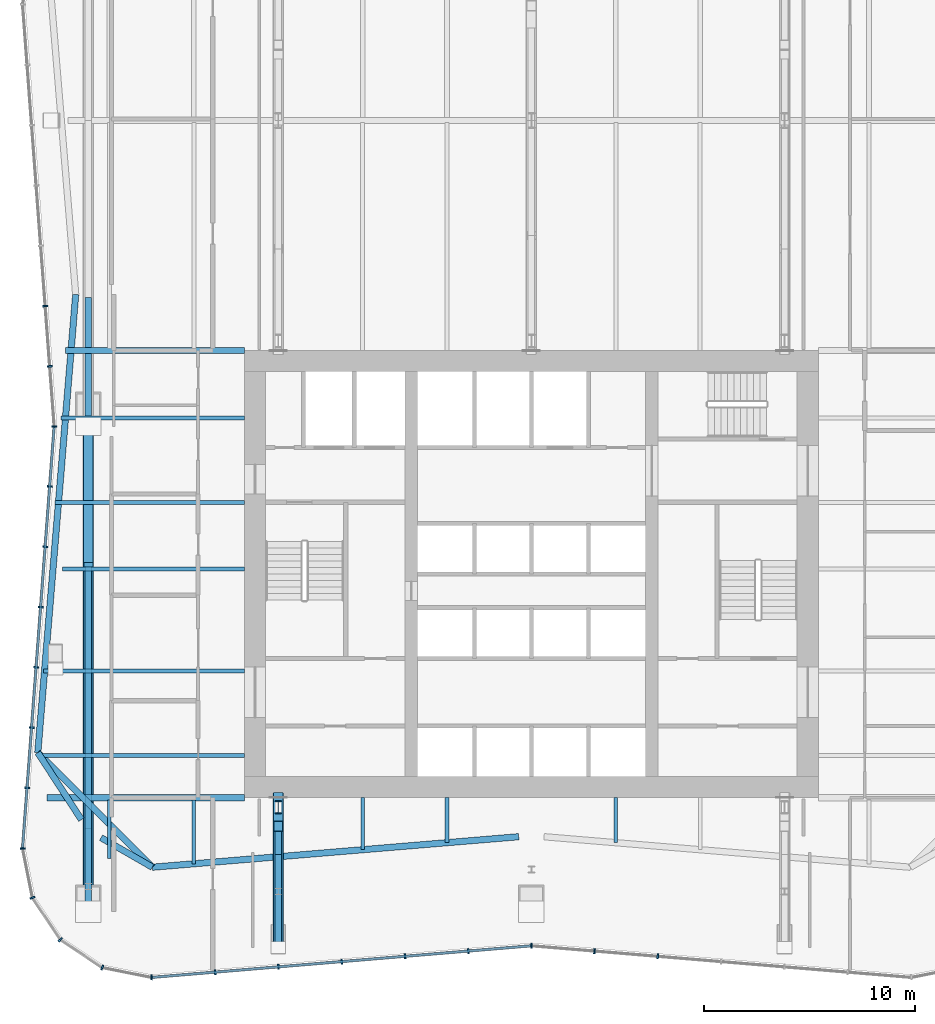
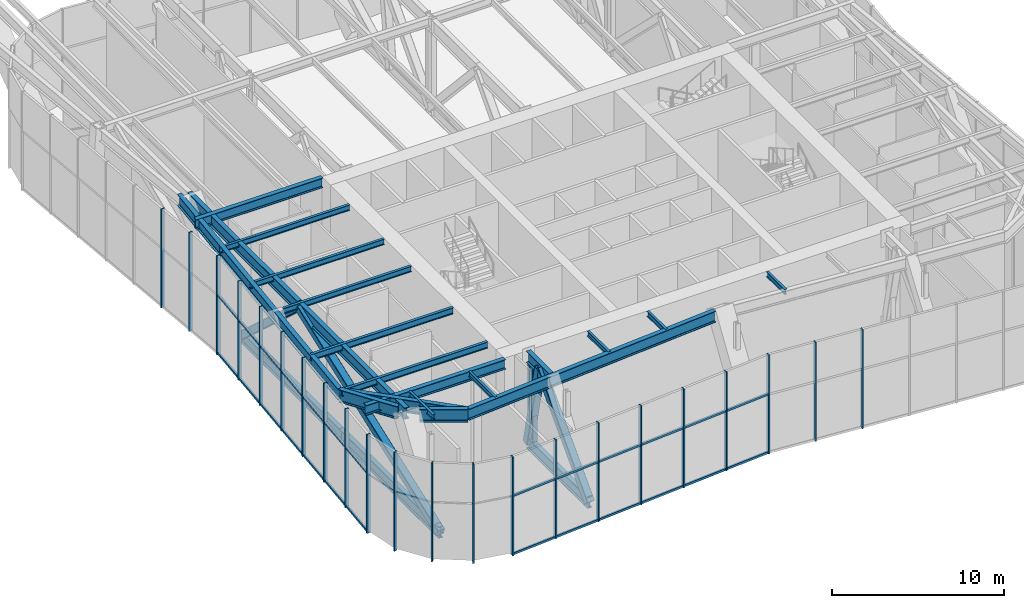
# One storey, part 4 of 16: 37 members, 17 beams, 3 elements without a shape of their own.
"""IFC4 building model written with IfcOpenShell, lengths in metres."""

from ifc_helpers import new_model, si_unit, direction, frame, origin, origin_2d, place, context, subcontext, project, spatial, rectangle, hollow_rectangle, i_section, extrude, material, material_profile, profile_set, type_object, element, aggregate, save


model = new_model("IFC4")

# Units and contexts
model_context = context("Model", 3, precision=1e-05, world=origin(), true_north=direction((0.0, 1.0)))
body_context = subcontext(model_context, "Body", "Model", "MODEL_VIEW")
ifc_project = project(units=[si_unit("LENGTHUNIT", "METRE"), si_unit("AREAUNIT", "SQUARE_METRE"), si_unit("VOLUMEUNIT", "CUBIC_METRE"), si_unit("PLANEANGLEUNIT", "RADIAN"), si_unit("MASSUNIT", "GRAM", prefix="KILO")], contexts=[model_context])

# Site, building, storey
site_placement = place(None, origin())
site = spatial("IfcSite", under=ifc_project, at=site_placement, CompositionType="ELEMENT")
building_placement = place(site_placement, origin())
building = spatial("IfcBuilding", under=site, at=building_placement, Name="Verdant Reach Tower", CompositionType="ELEMENT")
storey_placement = place(building_placement, frame((0.0, 0.0, 170.0)))
storey = spatial("IfcBuildingStorey", under=building, at=storey_placement, Name="L39 Plant", CompositionType="ELEMENT", Elevation=170.0)

# Curtain wall, members
ifc_material_1 = material(Name="Anodised aluminium", Category="aluminium")
curtain_wall_type = type_object("IfcCurtainWallType", Name="EN-CW SYSTEM PLANT", PredefinedType="NOTDEFINED", material=ifc_material_1)
curtain_wall_1_placement = place(storey_placement, origin())
curtain_wall_1 = element("IfcCurtainWall", 1, at=curtain_wall_1_placement, inside=storey, type_object=curtain_wall_type, Name="Curtain wall west, L39", PredefinedType="NOTDEFINED")
ifc_material_profile_1 = material_profile(ifc_material_1, rectangle(XDim=0.238037109375, YDim=0.080078125, at=origin_2d()), Name="Mullion 80x240")
ifc_profile_set_1 = profile_set([ifc_material_profile_1], Name="Anodised aluminium")
member_type_1 = type_object("IfcMemberType", Name="EN-MULLION PLANT", PredefinedType="MULLION", material=ifc_profile_set_1)
member_1_placement = place(storey_placement, frame((-23.047119140625, 40.705322265625, -0.35009765625), z_axis=(0.0, 0.0, 1.0), x_axis=(-0.997199309888, -0.074789948245, 0.0)))
member_1 = element("IfcMember", 2, at=member_1_placement, type_object=member_type_1, Name="Mullion west face part 1 6, L39", PredefinedType="MULLION", context=body_context, shape_type="SweptSolid", body=[
    extrude(rectangle(XDim=0.238037109375, YDim=0.080078125, at=origin_2d()), origin(), (0.0, 0.0, 1.0), 7.0),
])
member_2_placement = place(storey_placement, frame((-22.8330078125, 37.84814453125, -0.35009765625), z_axis=(0.0, 0.0, 1.0), x_axis=(-0.997199309888, -0.074789948245, 0.0)))
member_2 = element("IfcMember", 3, at=member_2_placement, type_object=member_type_1, Name="Mullion west face part 1 7, L39", PredefinedType="MULLION", context=body_context, shape_type="SweptSolid", body=[
    extrude(rectangle(XDim=0.238037109375, YDim=0.080078125, at=origin_2d()), origin(), (0.0, 0.0, 1.0), 7.0),
])
member_3_placement = place(storey_placement, frame((-22.618896484375, 35.0, -0.35009765625), z_axis=(0.0, 0.0, 1.0), x_axis=(-1.0, 0.0, 0.0)))
member_3 = element("IfcMember", 4, at=member_3_placement, type_object=member_type_1, Name="Mullion west face part 2 1, L39", PredefinedType="MULLION", context=body_context, shape_type="SweptSolid", body=[
    extrude(rectangle(XDim=0.238037109375, YDim=0.080078125, at=origin_2d()), origin(), (0.0, 0.0, 1.0), 7.0),
])
member_4_placement = place(storey_placement, frame((-22.8330078125, 32.15185546875, -0.35009765625), z_axis=(0.0, 0.0, 1.0), x_axis=(-0.997199309888, 0.074789948245, 0.0)))
member_4 = element("IfcMember", 5, at=member_4_placement, type_object=member_type_1, Name="Mullion west face part 2 2, L39", PredefinedType="MULLION", context=body_context, shape_type="SweptSolid", body=[
    extrude(rectangle(XDim=0.238037109375, YDim=0.080078125, at=origin_2d()), origin(), (0.0, 0.0, 1.0), 7.0),
])
member_5_placement = place(storey_placement, frame((-23.047119140625, 29.294677734375, -0.35009765625), z_axis=(0.0, 0.0, 1.0), x_axis=(-0.997199309888, 0.074789948245, 0.0)))
member_5 = element("IfcMember", 6, at=member_5_placement, type_object=member_type_1, Name="Mullion west face part 2 3, L39", PredefinedType="MULLION", context=body_context, shape_type="SweptSolid", body=[
    extrude(rectangle(XDim=0.238037109375, YDim=0.080078125, at=origin_2d()), origin(), (0.0, 0.0, 1.0), 7.0),
])
member_6_placement = place(storey_placement, frame((-23.261474609375, 26.4375, -0.35009765625), z_axis=(0.0, 0.0, 1.0), x_axis=(-0.997199309888, 0.074789948245, 0.0)))
member_6 = element("IfcMember", 7, at=member_6_placement, type_object=member_type_1, Name="Mullion west face part 2 4, L39", PredefinedType="MULLION", context=body_context, shape_type="SweptSolid", body=[
    extrude(rectangle(XDim=0.238037109375, YDim=0.080078125, at=origin_2d()), origin(), (0.0, 0.0, 1.0), 7.0),
])
member_7_placement = place(storey_placement, frame((-23.475830078125, 23.580322265625, -0.35009765625), z_axis=(0.0, 0.0, 1.0), x_axis=(-0.997199309888, 0.074789948245, 0.0)))
member_7 = element("IfcMember", 8, at=member_7_placement, type_object=member_type_1, Name="Mullion west face part 2 5, L39", PredefinedType="MULLION", context=body_context, shape_type="SweptSolid", body=[
    extrude(rectangle(XDim=0.238037109375, YDim=0.080078125, at=origin_2d()), origin(), (0.0, 0.0, 1.0), 7.0),
])
member_8_placement = place(storey_placement, frame((-23.690185546875, 20.72314453125, -0.35009765625), z_axis=(0.0, 0.0, 1.0), x_axis=(-0.997199309888, 0.074789948245, 0.0)))
member_8 = element("IfcMember", 9, at=member_8_placement, type_object=member_type_1, Name="Mullion west face part 2 6, L39", PredefinedType="MULLION", context=body_context, shape_type="SweptSolid", body=[
    extrude(rectangle(XDim=0.238037109375, YDim=0.080078125, at=origin_2d()), origin(), (0.0, 0.0, 1.0), 7.0),
])
member_9_placement = place(storey_placement, frame((-23.904296875, 17.865966796875, -0.35009765625), z_axis=(0.0, 0.0, 1.0), x_axis=(-0.997199309888, 0.074789948245, 0.0)))
member_9 = element("IfcMember", 10, at=member_9_placement, type_object=member_type_1, Name="Mullion west face part 2 7, L39", PredefinedType="MULLION", context=body_context, shape_type="SweptSolid", body=[
    extrude(rectangle(XDim=0.238037109375, YDim=0.080078125, at=origin_2d()), origin(), (0.0, 0.0, 1.0), 7.0),
])

curtain_wall_2_placement = place(storey_placement, origin())
curtain_wall_2 = element("IfcCurtainWall", 11, at=curtain_wall_2_placement, inside=storey, type_object=curtain_wall_type, Name="Curtain wall south-west corner, L39", PredefinedType="NOTDEFINED")
member_10_placement = place(storey_placement, frame((-24.118896484375, 14.99267578125, -0.35009765625), z_axis=(0.0, 0.0, 1.0), x_axis=(-0.998155887542, -0.060702752526, 0.0)))
member_10 = element("IfcMember", 12, at=member_10_placement, type_object=member_type_1, Name="Mullion south-west corner 1, L39", PredefinedType="MULLION", context=body_context, shape_type="SweptSolid", body=[
    extrude(rectangle(XDim=0.238037109375, YDim=0.080078125, at=origin_2d()), origin(), (0.0, 0.0, 1.0), 7.0),
])
member_11_placement = place(storey_placement, frame((-23.6533203125, 12.658447265625, -0.35009765625), z_axis=(0.0, 0.0, 1.0), x_axis=(-0.923875215753, -0.382693853776, 0.0)))
member_11 = element("IfcMember", 13, at=member_11_placement, type_object=member_type_1, Name="Mullion south-west corner 2, L39", PredefinedType="MULLION", context=body_context, shape_type="SweptSolid", body=[
    extrude(rectangle(XDim=0.238037109375, YDim=0.080078125, at=origin_2d()), origin(), (0.0, 0.0, 1.0), 7.0),
])
member_12_placement = place(storey_placement, frame((-22.32666015625, 10.67333984375, -0.35009765625), z_axis=(0.0, 0.0, 1.0), x_axis=(-0.707106781187, -0.707106781187, 0.0)))
member_12 = element("IfcMember", 14, at=member_12_placement, type_object=member_type_1, Name="Mullion south-west corner 3, L39", PredefinedType="MULLION", context=body_context, shape_type="SweptSolid", body=[
    extrude(rectangle(XDim=0.238037109375, YDim=0.080078125, at=origin_2d()), origin(), (0.0, 0.0, 1.0), 7.0),
])
member_13_placement = place(storey_placement, frame((-20.341552734375, 9.3466796875, -0.35009765625), z_axis=(0.0, 0.0, 1.0), x_axis=(-0.382693853776, -0.923875215753, 0.0)))
member_13 = element("IfcMember", 15, at=member_13_placement, type_object=member_type_1, Name="Mullion south-west corner 4, L39", PredefinedType="MULLION", context=body_context, shape_type="SweptSolid", body=[
    extrude(rectangle(XDim=0.238037109375, YDim=0.080078125, at=origin_2d()), origin(), (0.0, 0.0, 1.0), 7.0),
])
aggregate(curtain_wall_2, [member_10, member_11, member_12, member_13])

curtain_wall_3_placement = place(storey_placement, origin())
curtain_wall_3 = element("IfcCurtainWall", 16, at=curtain_wall_3_placement, inside=storey, type_object=curtain_wall_type, Name="Curtain wall south, L39", PredefinedType="NOTDEFINED")
member_14_placement = place(storey_placement, frame((-18.0068359375, 8.881103515625, -0.35009765625), z_axis=(0.0, 0.0, 1.0), x_axis=(-0.056569187765, -0.998398681387, 0.0)))
member_14 = element("IfcMember", 17, at=member_14_placement, type_object=member_type_1, Name="Mullion south face part 1 1, L39", PredefinedType="MULLION", context=body_context, shape_type="SweptSolid", body=[
    extrude(rectangle(XDim=0.238037109375, YDim=0.080078125, at=origin_2d()), origin(), (0.0, 0.0, 1.0), 7.0),
])
member_15_placement = place(storey_placement, frame((-14.990234375, 9.13134765625, -0.35009765625), z_axis=(0.0, 0.0, 1.0), x_axis=(0.083045479859, -0.996545758244, 0.0)))
member_15 = element("IfcMember", 18, at=member_15_placement, type_object=member_type_1, Name="Mullion south face part 1 2, L39", PredefinedType="MULLION", context=body_context, shape_type="SweptSolid", body=[
    extrude(rectangle(XDim=0.238037109375, YDim=0.080078125, at=origin_2d()), origin(), (0.0, 0.0, 1.0), 7.0),
])
member_16_placement = place(storey_placement, frame((-11.990234375, 9.38134765625, -0.35009765625), z_axis=(0.0, 0.0, 1.0), x_axis=(0.083045479859, -0.996545758244, 0.0)))
member_16 = element("IfcMember", 19, at=member_16_placement, type_object=member_type_1, Name="Mullion south face part 1 3, L39", PredefinedType="MULLION", context=body_context, shape_type="SweptSolid", body=[
    extrude(rectangle(XDim=0.238037109375, YDim=0.080078125, at=origin_2d()), origin(), (0.0, 0.0, 1.0), 7.0),
])
member_17_placement = place(storey_placement, frame((-8.990234375, 9.63134765625, -0.35009765625), z_axis=(0.0, 0.0, 1.0), x_axis=(0.083045479859, -0.996545758244, 0.0)))
member_17 = element("IfcMember", 20, at=member_17_placement, type_object=member_type_1, Name="Mullion south face part 1 4, L39", PredefinedType="MULLION", context=body_context, shape_type="SweptSolid", body=[
    extrude(rectangle(XDim=0.238037109375, YDim=0.080078125, at=origin_2d()), origin(), (0.0, 0.0, 1.0), 7.0),
])
member_18_placement = place(storey_placement, frame((-5.990234375, 9.88134765625, -0.35009765625), z_axis=(0.0, 0.0, 1.0), x_axis=(0.083045479859, -0.996545758244, 0.0)))
member_18 = element("IfcMember", 21, at=member_18_placement, type_object=member_type_1, Name="Mullion south face part 1 5, L39", PredefinedType="MULLION", context=body_context, shape_type="SweptSolid", body=[
    extrude(rectangle(XDim=0.238037109375, YDim=0.080078125, at=origin_2d()), origin(), (0.0, 0.0, 1.0), 7.0),
])
member_19_placement = place(storey_placement, frame((-2.990234375, 10.13134765625, -0.35009765625), z_axis=(0.0, 0.0, 1.0), x_axis=(0.083045479859, -0.996545758244, 0.0)))
member_19 = element("IfcMember", 22, at=member_19_placement, type_object=member_type_1, Name="Mullion south face part 1 6, L39", PredefinedType="MULLION", context=body_context, shape_type="SweptSolid", body=[
    extrude(rectangle(XDim=0.238037109375, YDim=0.080078125, at=origin_2d()), origin(), (0.0, 0.0, 1.0), 7.0),
])
member_20_placement = place(storey_placement, frame((0.0, 10.381103515625, -0.35009765625), z_axis=(0.0, 0.0, 1.0), x_axis=(0.0, -1.0, 0.0)))
member_20 = element("IfcMember", 23, at=member_20_placement, type_object=member_type_1, Name="Mullion south face part 2 1, L39", PredefinedType="MULLION", context=body_context, shape_type="SweptSolid", body=[
    extrude(rectangle(XDim=0.238037109375, YDim=0.080078125, at=origin_2d()), origin(), (0.0, 0.0, 1.0), 7.0),
])
member_21_placement = place(storey_placement, frame((2.990234375, 10.13134765625, -0.35009765625), z_axis=(0.0, 0.0, 1.0), x_axis=(-0.083045479859, -0.996545758244, 0.0)))
member_21 = element("IfcMember", 24, at=member_21_placement, type_object=member_type_1, Name="Mullion south face part 2 2, L39", PredefinedType="MULLION", context=body_context, shape_type="SweptSolid", body=[
    extrude(rectangle(XDim=0.238037109375, YDim=0.080078125, at=origin_2d()), origin(), (0.0, 0.0, 1.0), 7.0),
])
member_22_placement = place(storey_placement, frame((5.990234375, 9.88134765625, -0.35009765625), z_axis=(0.0, 0.0, 1.0), x_axis=(-0.083045479859, -0.996545758244, 0.0)))
member_22 = element("IfcMember", 25, at=member_22_placement, type_object=member_type_1, Name="Mullion south face part 2 3, L39", PredefinedType="MULLION", context=body_context, shape_type="SweptSolid", body=[
    extrude(rectangle(XDim=0.238037109375, YDim=0.080078125, at=origin_2d()), origin(), (0.0, 0.0, 1.0), 7.0),
])

# Member
ifc_material_profile_2 = material_profile(ifc_material_1, rectangle(XDim=0.1201171875, YDim=0.14990234375, at=origin_2d()), Name="Transom 150x120")
ifc_profile_set_2 = profile_set([ifc_material_profile_2], Name="Anodised aluminium")
member_type_2 = type_object("IfcMemberType", Name="EN-TRANSOM PLANT", PredefinedType="USERDEFINED", material=ifc_profile_set_2)
member_23_placement = place(storey_placement, frame((-22.6220703125, 34.960205078125, -0.27490234375), z_axis=(-0.074744693734, -0.997202702944, 0.0), x_axis=(0.997202702944, -0.074744693734, 0.0)))
member_23 = element("IfcMember", 26, at=member_23_placement, type_object=member_type_2, Name="Transom west face part 2 1.1, L39", ObjectType="TRANSOM", PredefinedType="USERDEFINED", context=body_context, shape_type="SweptSolid", body=[
    extrude(rectangle(XDim=0.1201171875, YDim=0.14990234375, at=origin_2d()), origin(), (0.0, 0.0, 1.0), 19.9833984375),
])

member_24_placement = place(storey_placement, frame((-22.6220703125, 34.960205078125, 3.85009765625), z_axis=(-0.074744693734, -0.997202702944, 0.0), x_axis=(0.997202702944, -0.074744693734, 0.0)))
member_24 = element("IfcMember", 27, at=member_24_placement, type_object=member_type_2, Name="Transom west face part 2 1.2, L39", ObjectType="TRANSOM", PredefinedType="USERDEFINED", context=body_context, shape_type="SweptSolid", body=[
    extrude(rectangle(XDim=0.1201171875, YDim=0.14990234375, at=origin_2d()), origin(), (0.0, 0.0, 1.0), 19.9833984375),
])

aggregate(curtain_wall_1, [member_1, member_2, member_3, member_4, member_5, member_6, member_7, member_8, member_9, member_23, member_24])

member_25_placement = place(storey_placement, frame((-17.966796875, 8.884521484375, -0.27490234375), z_axis=(0.996549220477, 0.083003922598, 0.0), x_axis=(-0.083003922598, 0.996549220477, 0.0)))
member_25 = element("IfcMember", 28, at=member_25_placement, type_object=member_type_2, Name="Transom south face part 1 1.1, L39", ObjectType="TRANSOM", PredefinedType="USERDEFINED", context=body_context, shape_type="SweptSolid", body=[
    extrude(rectangle(XDim=0.1201171875, YDim=0.14990234375, at=origin_2d()), origin(), (0.0, 0.0, 1.0), 17.989013671875),
])

member_26_placement = place(storey_placement, frame((-17.966796875, 8.884521484375, 3.85009765625), z_axis=(0.996549220477, 0.083003922598, 0.0), x_axis=(-0.083003922598, 0.996549220477, 0.0)))
member_26 = element("IfcMember", 29, at=member_26_placement, type_object=member_type_2, Name="Transom south face part 1 1.2, L39", ObjectType="TRANSOM", PredefinedType="USERDEFINED", context=body_context, shape_type="SweptSolid", body=[
    extrude(rectangle(XDim=0.1201171875, YDim=0.14990234375, at=origin_2d()), origin(), (0.0, 0.0, 1.0), 17.989013671875),
])

aggregate(curtain_wall_3, [member_14, member_15, member_16, member_17, member_18, member_19, member_25, member_26, member_20, member_21, member_22])

# Beams
ifc_material_2 = material(Name="Steel S355", Category="steel")
ifc_material_profile_3 = material_profile(ifc_material_2, i_section(OverallWidth=0.300048828125, OverallDepth=0.699951171875, WebThickness=0.01708984375, FlangeThickness=0.031982421875, FilletRadius=0.027099609375, at=origin_2d()), Name="HEB 700")
ifc_profile_set_3 = profile_set([ifc_material_profile_3], Name="Steel S355")
beam_type_1 = type_object("IfcBeamType", Name="ST-BEAM-HEB700", PredefinedType="BEAM", material=ifc_profile_set_3)
beam_1_placement = place(storey_placement, frame((-13.60009765625, 38.60009765625, 6.52001953125), z_axis=(-1.0, 0.0, 0.0), x_axis=(0.0, -1.0, 0.0)))
element("IfcBeam", 30, at=beam_1_placement, inside=storey, type_object=beam_type_1, Name="Trimmer beam, L39 Plant", PredefinedType="BEAM", context=body_context, shape_type="SweptSolid", body=[
    extrude(i_section(OverallWidth=0.300048828125, OverallDepth=0.699951171875, WebThickness=0.01708984375, FlangeThickness=0.031982421875, FilletRadius=0.027099609375, at=origin_2d()), origin(), (0.0, 0.0, 1.0), 8.481201171875),
])
beam_2_placement = place(storey_placement, frame((-13.60009765625, 17.39990234375, 6.52001953125), z_axis=(-1.0, 0.0, 0.0), x_axis=(0.0, -1.0, 0.0)))
element("IfcBeam", 31, at=beam_2_placement, inside=storey, type_object=beam_type_1, Name="Trimmer beam, L39 Plant", PredefinedType="BEAM", context=body_context, shape_type="SweptSolid", body=[
    extrude(i_section(OverallWidth=0.300048828125, OverallDepth=0.699951171875, WebThickness=0.01708984375, FlangeThickness=0.031982421875, FilletRadius=0.027099609375, at=origin_2d()), origin(), (0.0, 0.0, 1.0), 9.3525390625),
])
ifc_material_profile_4 = material_profile(ifc_material_2, i_section(OverallWidth=0.302001953125, OverallDepth=0.909912109375, WebThickness=0.02099609375, FlangeThickness=0.0400390625, FilletRadius=0.030029296875, at=origin_2d()), Name="HEM 900")
ifc_profile_set_4 = profile_set([ifc_material_profile_4], Name="Steel S355")
beam_type_2 = type_object("IfcBeamType", Name="ST-BEAM-HEM900", PredefinedType="BEAM", material=ifc_profile_set_4)
beam_3_placement = place(storey_placement, frame((-20.39990234375, 15.505859375, 6.4150390625), z_axis=(0.866709015809, -0.498814075498, 0.0), x_axis=(0.498814075498, 0.866709015809, 0.0)))
element("IfcBeam", 32, at=beam_3_placement, inside=storey, type_object=beam_type_2, Name="Column stub beam, L39 Plant", PredefinedType="BEAM", context=body_context, shape_type="SweptSolid", body=[
    extrude(i_section(OverallWidth=0.302001953125, OverallDepth=0.909912109375, WebThickness=0.02099609375, FlangeThickness=0.0400390625, FilletRadius=0.030029296875, at=origin_2d()), origin(), (0.0, 0.0, 1.0), 2.808349609375),
])
beam_4_placement = place(storey_placement, frame((-21.329345703125, 16.35791015625, 6.4150390625), z_axis=(-0.54484355114, 0.838537718163, 0.0), x_axis=(-0.838537718163, -0.54484355114, 0.0)))
element("IfcBeam", 33, at=beam_4_placement, inside=storey, type_object=beam_type_2, Name="Column stub beam, L39 Plant", PredefinedType="BEAM", context=body_context, shape_type="SweptSolid", body=[
    extrude(i_section(OverallWidth=0.302001953125, OverallDepth=0.909912109375, WebThickness=0.02099609375, FlangeThickness=0.0400390625, FilletRadius=0.030029296875, at=origin_2d()), origin(), (0.0, 0.0, 1.0), 3.793212890625),
])
ifc_material_profile_5 = material_profile(ifc_material_2, i_section(OverallWidth=0.169921875, OverallDepth=0.360107421875, WebThickness=0.008056640625, FlangeThickness=0.0126953125, FilletRadius=0.01806640625, at=origin_2d()), Name="IPE 360")
ifc_profile_set_5 = profile_set([ifc_material_profile_5], Name="Steel S355")
beam_type_3 = type_object("IfcBeamType", Name="ST-JOIST-IPE360", PredefinedType="JOIST", material=ifc_profile_set_5)
beam_5_placement = place(storey_placement, frame((-20.0, 17.300048828125, 6.68994140625), z_axis=(0.0, -1.0, 0.0), x_axis=(1.0, 0.0, 0.0)))
element("IfcBeam", 34, at=beam_5_placement, inside=storey, type_object=beam_type_3, Name="Floor joist, L39 Plant", PredefinedType="JOIST", context=body_context, shape_type="SweptSolid", body=[
    extrude(i_section(OverallWidth=0.169921875, OverallDepth=0.360107421875, WebThickness=0.008056640625, FlangeThickness=0.0126953125, FilletRadius=0.01806640625, at=origin_2d()), origin(), (0.0, 0.0, 1.0), 2.79052734375),
])
beam_6_placement = place(storey_placement, frame((-16.0, 17.300048828125, 6.68994140625), z_axis=(0.0, -1.0, 0.0), x_axis=(1.0, 0.0, 0.0)))
element("IfcBeam", 35, at=beam_6_placement, inside=storey, type_object=beam_type_3, Name="Floor joist, L39 Plant", PredefinedType="JOIST", context=body_context, shape_type="SweptSolid", body=[
    extrude(i_section(OverallWidth=0.169921875, OverallDepth=0.360107421875, WebThickness=0.008056640625, FlangeThickness=0.0126953125, FilletRadius=0.01806640625, at=origin_2d()), origin(), (0.0, 0.0, 1.0), 3.03125),
])
beam_7_placement = place(storey_placement, frame((-8.0, 17.39990234375, 6.68994140625), z_axis=(0.0, -1.0, 0.0), x_axis=(1.0, 0.0, 0.0)))
element("IfcBeam", 36, at=beam_7_placement, inside=storey, type_object=beam_type_3, Name="Floor joist, L39 Plant", PredefinedType="JOIST", context=body_context, shape_type="SweptSolid", body=[
    extrude(i_section(OverallWidth=0.169921875, OverallDepth=0.360107421875, WebThickness=0.008056640625, FlangeThickness=0.0126953125, FilletRadius=0.01806640625, at=origin_2d()), origin(), (0.0, 0.0, 1.0), 2.464599609375),
])
for number, where, z_axis, x_axis, name in (
    (37, (-4.0, 17.39990234375, 6.68994140625), (0.0, -1.0, 0.0), (1.0, 0.0, 0.0), "Floor joist, L39 Plant"),
    (38, (4.0, 17.39990234375, 6.68994140625), (0.0, -1.0, 0.0), (1.0, 0.0, 0.0), "Floor joist, L39 Plant"),
):
    element("IfcBeam", number, at=place(storey_placement, frame(where, z_axis=z_axis, x_axis=x_axis)), inside=storey, type_object=beam_type_3, Name=name, PredefinedType="JOIST", context=body_context, shape_type="SweptSolid", body=[
        extrude(i_section(OverallWidth=0.169921875, OverallDepth=0.360107421875, WebThickness=0.008056640625, FlangeThickness=0.0126953125, FilletRadius=0.01806640625, at=origin_2d()), origin(), (0.0, 0.0, 1.0), 2.131103515625),
    ])
ifc_material_profile_6 = material_profile(ifc_material_2, i_section(OverallWidth=0.179931640625, OverallDepth=0.39990234375, WebThickness=0.008544921875, FlangeThickness=0.013427734375, FilletRadius=0.02099609375, at=origin_2d()), Name="IPE 400")
ifc_profile_set_6 = profile_set([ifc_material_profile_6], Name="Steel S355")
beam_type_4 = type_object("IfcBeamType", Name="ST-JOIST-IPE400", PredefinedType="JOIST", material=ifc_profile_set_6)
beam_8_placement = place(storey_placement, frame((-13.60009765625, 28.239990234375, 6.669921875), z_axis=(-1.0, 0.0, 0.0), x_axis=(0.0, -1.0, 0.0)))
element("IfcBeam", 39, at=beam_8_placement, inside=storey, type_object=beam_type_4, Name="Floor joist, L39 Plant", PredefinedType="JOIST", context=body_context, shape_type="SweptSolid", body=[
    extrude(i_section(OverallWidth=0.179931640625, OverallDepth=0.39990234375, WebThickness=0.008544921875, FlangeThickness=0.013427734375, FilletRadius=0.02099609375, at=origin_2d()), origin(), (0.0, 0.0, 1.0), 8.62841796875),
])
beam_9_placement = place(storey_placement, frame((-13.60009765625, 31.39990234375, 6.669921875), z_axis=(-1.0, 0.0, 0.0), x_axis=(0.0, -1.0, 0.0)))
element("IfcBeam", 40, at=beam_9_placement, inside=storey, type_object=beam_type_4, Name="Floor joist, L39 Plant", PredefinedType="JOIST", context=body_context, shape_type="SweptSolid", body=[
    extrude(i_section(OverallWidth=0.179931640625, OverallDepth=0.39990234375, WebThickness=0.008544921875, FlangeThickness=0.013427734375, FilletRadius=0.02099609375, at=origin_2d()), origin(), (0.0, 0.0, 1.0), 8.977783203125),
])
beam_10_placement = place(storey_placement, frame((-13.60009765625, 35.39990234375, 6.669921875), z_axis=(-1.0, 0.0, 0.0), x_axis=(0.0, -1.0, 0.0)))
element("IfcBeam", 41, at=beam_10_placement, inside=storey, type_object=beam_type_4, Name="Floor joist, L39 Plant", PredefinedType="JOIST", context=body_context, shape_type="SweptSolid", body=[
    extrude(i_section(OverallWidth=0.179931640625, OverallDepth=0.39990234375, WebThickness=0.008544921875, FlangeThickness=0.013427734375, FilletRadius=0.02099609375, at=origin_2d()), origin(), (0.0, 0.0, 1.0), 8.701904296875),
])
ifc_material_profile_7 = material_profile(ifc_material_2, i_section(OverallWidth=0.18994140625, OverallDepth=0.449951171875, WebThickness=0.009521484375, FlangeThickness=0.0146484375, FilletRadius=0.02099609375, at=origin_2d()), Name="IPE 450")
ifc_profile_set_7 = profile_set([ifc_material_profile_7], Name="Steel S355")
beam_type_5 = type_object("IfcBeamType", Name="ST-JOIST-IPE450", PredefinedType="JOIST", material=ifc_profile_set_7)
beam_11_placement = place(storey_placement, frame((-13.60009765625, 19.39990234375, 6.64501953125), z_axis=(-1.0, 0.0, 0.0), x_axis=(0.0, -1.0, 0.0)))
element("IfcBeam", 42, at=beam_11_placement, inside=storey, type_object=beam_type_5, Name="Floor joist, L39 Plant", PredefinedType="JOIST", context=body_context, shape_type="SweptSolid", body=[
    extrude(i_section(OverallWidth=0.18994140625, OverallDepth=0.449951171875, WebThickness=0.009521484375, FlangeThickness=0.0146484375, FilletRadius=0.02099609375, at=origin_2d()), origin(), (0.0, 0.0, 1.0), 9.768310546875),
])
beam_12_placement = place(storey_placement, frame((-13.60009765625, 23.39990234375, 6.64501953125), z_axis=(-1.0, 0.0, 0.0), x_axis=(0.0, -1.0, 0.0)))
element("IfcBeam", 43, at=beam_12_placement, inside=storey, type_object=beam_type_5, Name="Floor joist, L39 Plant", PredefinedType="JOIST", context=body_context, shape_type="SweptSolid", body=[
    extrude(i_section(OverallWidth=0.18994140625, OverallDepth=0.449951171875, WebThickness=0.009521484375, FlangeThickness=0.0146484375, FilletRadius=0.02099609375, at=origin_2d()), origin(), (0.0, 0.0, 1.0), 9.529541015625),
])
ifc_material_profile_8 = material_profile(ifc_material_2, i_section(OverallWidth=0.300048828125, OverallDepth=0.800048828125, WebThickness=0.017578125, FlangeThickness=0.032958984375, FilletRadius=0.030029296875, at=origin_2d()), Name="HEB 800")
ifc_profile_set_8 = profile_set([ifc_material_profile_8], Name="Steel S355")
beam_type_6 = type_object("IfcBeamType", Name="ST-SPANDREL-HEB800", PredefinedType="SPANDREL", material=ifc_profile_set_8)
beam_13_placement = place(storey_placement, frame((-0.60009765625, 15.552001953125, 6.469970703125), z_axis=(-0.996546337953, -0.083038523057, 0.0), x_axis=(0.083038523057, -0.996546337953, 0.0)))
element("IfcBeam", 44, at=beam_13_placement, inside=storey, type_object=beam_type_6, Name="Edge beam, L39 Plant", PredefinedType="SPANDREL", context=body_context, shape_type="SweptSolid", body=[
    extrude(i_section(OverallWidth=0.300048828125, OverallDepth=0.800048828125, WebThickness=0.017578125, FlangeThickness=0.032958984375, FilletRadius=0.030029296875, at=origin_2d()), origin(), (0.0, 0.0, 1.0), 17.426025390625),
])
beam_14_placement = place(storey_placement, frame((-23.39599609375, 19.53857421875, 6.469970703125), z_axis=(0.082435210935, 0.99659642584, 0.0), x_axis=(-0.99659642584, 0.082435210935, 0.0)))
element("IfcBeam", 45, at=beam_14_placement, inside=storey, type_object=beam_type_6, Name="Edge beam, L39 Plant", PredefinedType="SPANDREL", context=body_context, shape_type="SweptSolid", body=[
    extrude(i_section(OverallWidth=0.300048828125, OverallDepth=0.800048828125, WebThickness=0.017578125, FlangeThickness=0.032958984375, FilletRadius=0.030029296875, at=origin_2d()), origin(), (0.0, 0.0, 1.0), 21.78564453125),
])
ifc_material_profile_9 = material_profile(ifc_material_2, i_section(OverallWidth=0.302001953125, OverallDepth=0.909912109375, WebThickness=0.02099609375, FlangeThickness=0.0400390625, FilletRadius=0.030029296875, at=origin_2d()), Name="HEM 900")
ifc_profile_set_9 = profile_set([ifc_material_profile_9], Name="Steel S355")
beam_type_7 = type_object("IfcBeamType", Name="ST-SPANDREL-HEM900", PredefinedType="SPANDREL", material=ifc_profile_set_9)
beam_15_placement = place(storey_placement, frame((-17.9658203125, 14.10498046875, 6.4150390625), z_axis=(-0.706884275642, 0.707329216738, 0.0), x_axis=(-0.707329216738, -0.706884275642, 0.0)))
element("IfcBeam", 46, at=beam_15_placement, inside=storey, type_object=beam_type_7, Name="Edge beam, L39 Plant", PredefinedType="SPANDREL", context=body_context, shape_type="SweptSolid", body=[
    extrude(i_section(OverallWidth=0.302001953125, OverallDepth=0.909912109375, WebThickness=0.02099609375, FlangeThickness=0.0400390625, FilletRadius=0.030029296875, at=origin_2d()), origin(), (0.0, 0.0, 1.0), 7.681884765625),
])

# Members
ifc_material_3 = material(Name="Steel S460", Category="steel")
ifc_material_profile_10 = material_profile(ifc_material_3, hollow_rectangle(XDim=0.5, YDim=0.5, WallThickness=0.02490234375, InnerFilletRadius=0.02490234375, OuterFilletRadius=0.050048828125, at=origin_2d()), Name="RHS 500x500x25")
ifc_profile_set_10 = profile_set([ifc_material_profile_10], Name="Steel S460")
member_type_3 = type_object("IfcMemberType", Name="ST-TRUSS-BRACE-RHS500x500x25", PredefinedType="BRACE", material=ifc_profile_set_10)
member_27_placement = place(storey_placement, frame((-12.0, 17.39990234375, 0.406982421875), z_axis=(0.0, -0.217522043866, 0.976055408485), x_axis=(1.0, 0.0, 0.0)))
element("IfcMember", 47, at=member_27_placement, inside=storey, type_object=member_type_3, Name="Outrigger truss C south, diagonal, L39 Plant", PredefinedType="BRACE", context=body_context, shape_type="SweptSolid", body=[
    extrude(hollow_rectangle(XDim=0.5, YDim=0.5, WallThickness=0.02490234375, InnerFilletRadius=0.02490234375, OuterFilletRadius=0.050048828125, at=origin_2d()), origin(), (0.0, 0.0, 1.0), 6.20458984375),
])
member_28_placement = place(storey_placement, frame((-12.0, 16.05029296875, 6.462890625), z_axis=(0.0, -0.688245828405, -0.725477552846), x_axis=(1.0, 0.0, 0.0)))
element("IfcMember", 48, at=member_28_placement, inside=storey, type_object=member_type_3, Name="Outrigger truss C south, diagonal, L39 Plant", PredefinedType="BRACE", context=body_context, shape_type="SweptSolid", body=[
    extrude(hollow_rectangle(XDim=0.5, YDim=0.5, WallThickness=0.02490234375, InnerFilletRadius=0.02490234375, OuterFilletRadius=0.050048828125, at=origin_2d()), origin(), (0.0, 0.0, 1.0), 8.347412109375),
])
member_29_placement = place(storey_placement, frame((-21.0, 12.00439453125, 0.406982421875), z_axis=(0.0, 0.937983730031, 0.346679278581), x_axis=(-1.0, 0.0, 0.0)))
element("IfcMember", 49, at=member_29_placement, inside=storey, type_object=member_type_3, Name="Transfer truss B west, diagonal, L39 Plant", PredefinedType="BRACE", context=body_context, shape_type="SweptSolid", body=[
    extrude(hollow_rectangle(XDim=0.5, YDim=0.5, WallThickness=0.02490234375, InnerFilletRadius=0.02490234375, OuterFilletRadius=0.050048828125, at=origin_2d()), origin(), (0.0, 0.0, 1.0), 17.46826171875),
])
member_30_placement = place(storey_placement, frame((-21.0, 28.389404296875, 6.462890625), z_axis=(0.0, 0.737725521806, -0.675100773571), x_axis=(-1.0, 0.0, 0.0)))
element("IfcMember", 50, at=member_30_placement, inside=storey, type_object=member_type_3, Name="Transfer truss B west, diagonal, L39 Plant", PredefinedType="BRACE", context=body_context, shape_type="SweptSolid", body=[
    extrude(hollow_rectangle(XDim=0.5, YDim=0.5, WallThickness=0.02490234375, InnerFilletRadius=0.02490234375, OuterFilletRadius=0.050048828125, at=origin_2d()), origin(), (0.0, 0.0, 1.0), 8.970458984375),
])
ifc_material_profile_11 = material_profile(ifc_material_3, i_section(OverallWidth=0.302978515625, OverallDepth=0.81396484375, WebThickness=0.02099609375, FlangeThickness=0.0400390625, FilletRadius=0.030029296875, at=origin_2d()), Name="HEM 800")
ifc_profile_set_11 = profile_set([ifc_material_profile_11], Name="Steel S460")
member_type_4 = type_object("IfcMemberType", Name="ST-TRUSS-CHORD-HEM800", PredefinedType="CHORD", material=ifc_profile_set_11)
member_31_placement = place(storey_placement, frame((-12.0, 17.39990234375, 6.462890625), z_axis=(0.0, -1.0, 0.0), x_axis=(1.0, 0.0, 0.0)))
element("IfcMember", 51, at=member_31_placement, inside=storey, type_object=member_type_4, Name="Outrigger truss C south, top chord, L39 Plant", PredefinedType="CHORD", context=body_context, shape_type="SweptSolid", body=[
    extrude(i_section(OverallWidth=0.302978515625, OverallDepth=0.81396484375, WebThickness=0.02099609375, FlangeThickness=0.0400390625, FilletRadius=0.030029296875, at=origin_2d()), origin(), (0.0, 0.0, 1.0), 2.69921875),
])
member_32_placement = place(storey_placement, frame((-12.0, 17.39990234375, 0.406982421875), z_axis=(0.0, -1.0, 0.0), x_axis=(1.0, 0.0, 0.0)))
element("IfcMember", 52, at=member_32_placement, inside=storey, type_object=member_type_4, Name="Outrigger truss C south, bottom chord, L39 Plant", PredefinedType="CHORD", context=body_context, shape_type="SweptSolid", body=[
    extrude(i_section(OverallWidth=0.302978515625, OverallDepth=0.81396484375, WebThickness=0.02099609375, FlangeThickness=0.0400390625, FilletRadius=0.030029296875, at=origin_2d()), origin(), (0.0, 0.0, 1.0), 7.0947265625),
])
member_33_placement = place(storey_placement, frame((-21.0, 15.91162109375, 6.462890625), z_axis=(0.0, 1.0, 0.0), x_axis=(-1.0, 0.0, 0.0)))
element("IfcMember", 53, at=member_33_placement, inside=storey, type_object=member_type_4, Name="Transfer truss B west, top chord, L39 Plant", PredefinedType="CHORD", context=body_context, shape_type="SweptSolid", body=[
    extrude(i_section(OverallWidth=0.302978515625, OverallDepth=0.81396484375, WebThickness=0.02099609375, FlangeThickness=0.0400390625, FilletRadius=0.030029296875, at=origin_2d()), origin(), (0.0, 0.0, 1.0), 12.477783203125),
])
member_34_placement = place(storey_placement, frame((-21.0, 12.00439453125, 0.406982421875), z_axis=(0.0, 1.0, 0.0), x_axis=(-1.0, 0.0, 0.0)))
element("IfcMember", 54, at=member_34_placement, inside=storey, type_object=member_type_4, Name="Transfer truss B west, bottom chord, L39 Plant", PredefinedType="CHORD", context=body_context, shape_type="SweptSolid", body=[
    extrude(i_section(OverallWidth=0.302978515625, OverallDepth=0.81396484375, WebThickness=0.02099609375, FlangeThickness=0.0400390625, FilletRadius=0.030029296875, at=origin_2d()), origin(), (0.0, 0.0, 1.0), 11.501220703125),
])
member_35_placement = place(storey_placement, frame((-21.0, 28.389404296875, 6.462890625), z_axis=(0.0, 1.0, 0.0), x_axis=(-1.0, 0.0, 0.0)))
element("IfcMember", 55, at=member_35_placement, inside=storey, type_object=member_type_4, Name="Transfer truss B west, top chord, L39 Plant", PredefinedType="CHORD", context=body_context, shape_type="SweptSolid", body=[
    extrude(i_section(OverallWidth=0.302978515625, OverallDepth=0.81396484375, WebThickness=0.02099609375, FlangeThickness=0.0400390625, FilletRadius=0.030029296875, at=origin_2d()), origin(), (0.0, 0.0, 1.0), 12.722412109375),
])
member_36_placement = place(storey_placement, frame((-21.0, 23.505615234375, 0.406982421875), z_axis=(0.0, 1.0, 0.0), x_axis=(-1.0, 0.0, 0.0)))
element("IfcMember", 56, at=member_36_placement, inside=storey, type_object=member_type_4, Name="Transfer truss B west, bottom chord, L39 Plant", PredefinedType="CHORD", context=body_context, shape_type="SweptSolid", body=[
    extrude(i_section(OverallWidth=0.302978515625, OverallDepth=0.81396484375, WebThickness=0.02099609375, FlangeThickness=0.0400390625, FilletRadius=0.030029296875, at=origin_2d()), origin(), (0.0, 0.0, 1.0), 11.50146484375),
])
ifc_material_profile_12 = material_profile(ifc_material_3, i_section(OverallWidth=0.304931640625, OverallDepth=0.6201171875, WebThickness=0.02099609375, FlangeThickness=0.0400390625, FilletRadius=0.027099609375, at=origin_2d()), Name="HEM 600")
ifc_profile_set_12 = profile_set([ifc_material_profile_12], Name="Steel S460")
member_type_5 = type_object("IfcMemberType", Name="ST-TRUSS-POST-HEM600", PredefinedType="POST", material=ifc_profile_set_12)
member_37_placement = place(storey_placement, frame((-12.0, 16.949951171875, 0.833984375), z_axis=(0.0, 0.0, 1.0), x_axis=(1.0, 0.0, 0.0)))
element("IfcMember", 57, at=member_37_placement, inside=storey, type_object=member_type_5, Name="Outrigger truss C south, end post, L39 Plant", PredefinedType="POST", context=body_context, shape_type="SweptSolid", body=[
    extrude(i_section(OverallWidth=0.304931640625, OverallDepth=0.6201171875, WebThickness=0.02099609375, FlangeThickness=0.0400390625, FilletRadius=0.027099609375, at=origin_2d()), origin(), (0.0, 0.0, 1.0), 5.201904296875),
])

save(model, "model.ifc")
